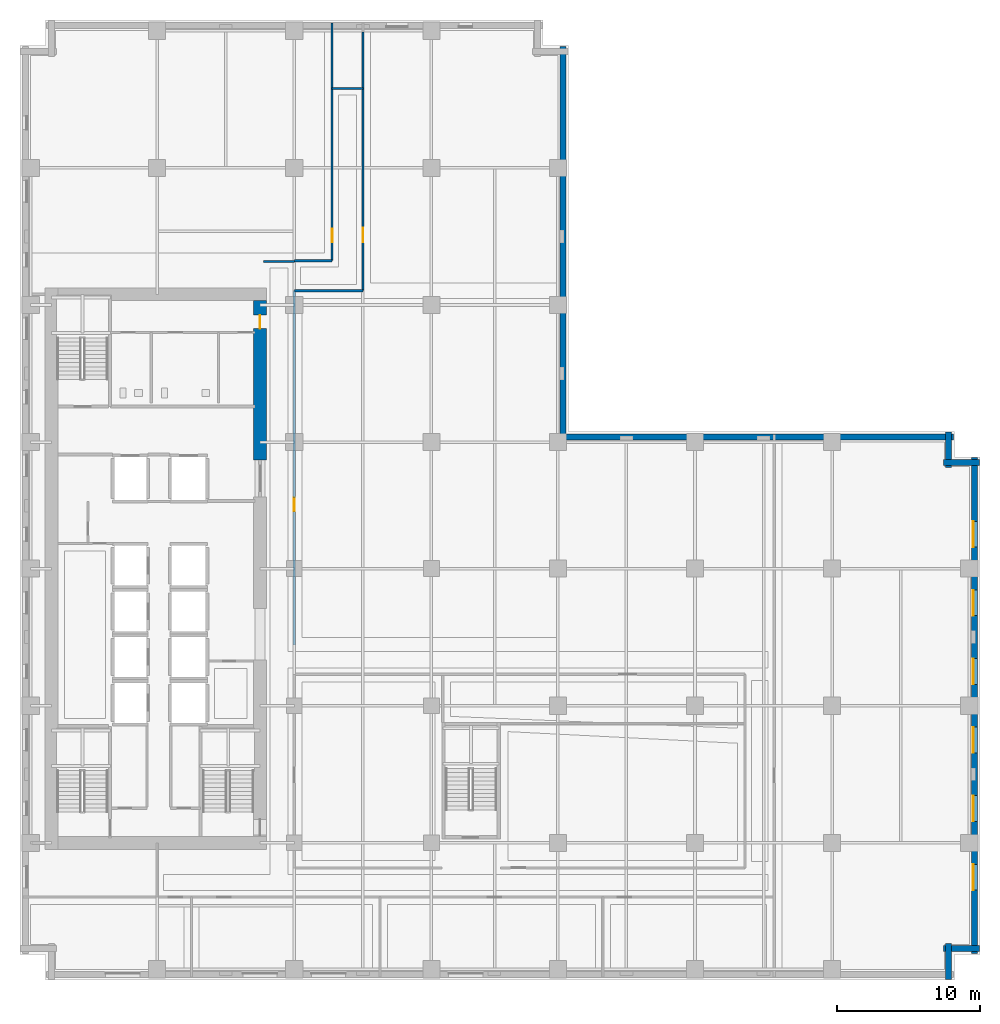
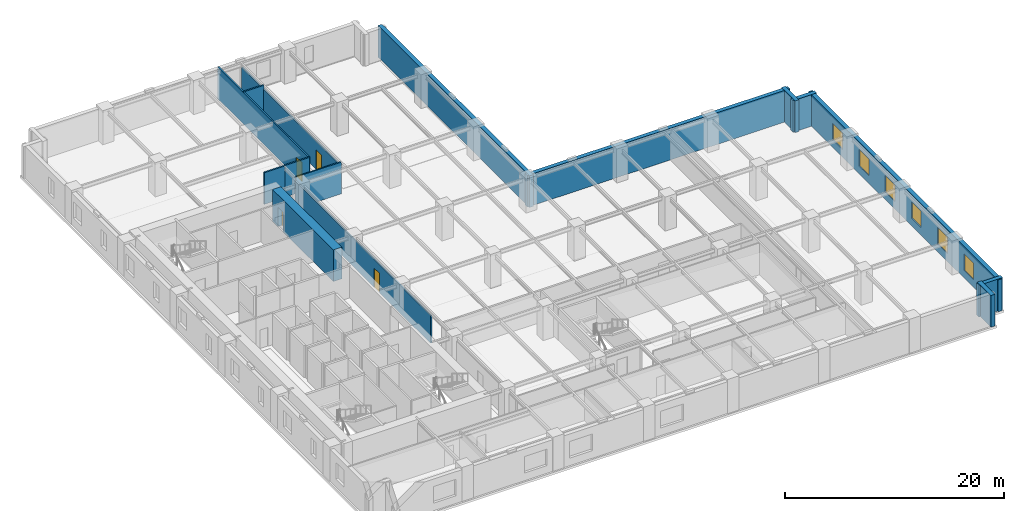
# One storey, part 7 of 13: 15 walls, 6 windows, 4 doors, 10 openings.
"""IFC4 building model written with IfcOpenShell, lengths in metres."""

from ifc_helpers import new_model, si_unit, direction, frame, frame_2d, origin, place, context, subcontext, project, spatial, rectangle, extrude, material, layer, layer_set, type_object, element, fill, save


model = new_model("IFC4")

# Units and contexts
model_context = context("Model", 3, precision=1e-05, world=origin(), true_north=direction((0.0, 1.0)))
body_context = subcontext(model_context, "Body", "Model", "MODEL_VIEW")
ifc_project = project(units=[si_unit("LENGTHUNIT", "METRE"), si_unit("AREAUNIT", "SQUARE_METRE"), si_unit("VOLUMEUNIT", "CUBIC_METRE"), si_unit("PLANEANGLEUNIT", "RADIAN"), si_unit("MASSUNIT", "GRAM", prefix="KILO")], contexts=[model_context])

# Site, building, storey
site_placement = place(None, origin())
site = spatial("IfcSite", under=ifc_project, at=site_placement, CompositionType="ELEMENT")
building_placement = place(site_placement, origin())
building = spatial("IfcBuilding", under=site, at=building_placement, Name="Norrvale University Quadrangle", CompositionType="ELEMENT")
storey_placement = place(building_placement, frame((0.0, 0.0, 35.60009765625)))
storey = spatial("IfcBuildingStorey", under=building, at=storey_placement, Name="L08", CompositionType="ELEMENT", Elevation=35.60009765625)

# Walls
ifc_material_1 = material(Name="Buff Norman Clay Brick Masonry", Category="masonry")
ifc_layer_1 = layer(ifc_material_1, 0.419921875, Name="Buff Norman Clay Brick Masonry")
ifc_layer_set_1 = layer_set([ifc_layer_1], Name="Buff Norman Clay Brick Masonry")
wall_type_1 = type_object("IfcWallType", Name="Wall Buff Brick 420", PredefinedType="SOLIDWALL", material=ifc_layer_set_1)
for number, where, z_axis, x_axis, name in (
    (1, (65.010009765625, 0.0400390625, 0.0), (0.0, 0.0, 1.0), (0.0, 1.0, 0.0), "Exterior Brick Facade Wall L08-02.1"),
    (2, (64.659912109375, 2.18994140625, 0.0), (0.0, 0.0, 1.0), (1.0, 0.0, 0.0), "Exterior Brick Facade Wall L08-03.1"),
):
    element("IfcWall", number, at=place(storey_placement, frame(where, z_axis=z_axis, x_axis=x_axis)), inside=storey, type_object=wall_type_1, Name=name, PredefinedType="SOLIDWALL", context=body_context, shape_type="SweptSolid", body=[
        extrude(rectangle(XDim=2.5, YDim=0.419921875, at=frame_2d((1.25, 0.0))), origin(), (0.0, 0.0, 1.0), 3.539794921875),
    ])

# Wall, openings, windows
wall_1_placement = place(storey_placement, frame((66.81005859375, 1.840087890625, 0.0), z_axis=(0.0, 0.0, 1.0), x_axis=(0.0, 1.0, 0.0)))
wall_1 = element("IfcWall", 3, at=wall_1_placement, inside=storey, type_object=wall_type_1, Name="Exterior Brick Facade Wall L08-04.1", PredefinedType="SOLIDWALL", context=body_context, shape_type="SweptSolid", body=[
    extrude(rectangle(XDim=34.719970703125, YDim=0.419921875, at=frame_2d((17.35986328125, 0.0))), origin(), (0.0, 0.0, 1.0), 3.539794921875),
])
opening_1_placement = place(wall_1_placement, frame((4.4599609375, 0.0, 0.85009765625)))
opening_1 = element("IfcOpeningElement", 4, at=opening_1_placement, cuts=wall_1, Name="Opening W01", PredefinedType="OPENING", context=body_context, shape_type="SweptSolid", body=[
    extrude(rectangle(XDim=1.800048828125, YDim=1.85009765625, at=frame_2d((0.89990234375, 0.925048828125))), frame((0.0, 0.221923828125, 0.0), z_axis=(0.0, -1.0, 0.0), x_axis=(1.0, 0.0, 0.0)), (0.0, 0.0, 1.0), 0.44384765625),
])
opening_2_placement = place(wall_1_placement, frame((9.260009765625, 0.0, 0.85009765625)))
opening_2 = element("IfcOpeningElement", 5, at=opening_2_placement, cuts=wall_1, Name="Opening W01", PredefinedType="OPENING", context=body_context, shape_type="SweptSolid", body=[
    extrude(rectangle(XDim=1.800048828125, YDim=1.85009765625, at=frame_2d((0.89990234375, 0.925048828125))), frame((0.0, 0.221923828125, 0.0), z_axis=(0.0, -1.0, 0.0), x_axis=(1.0, 0.0, 0.0)), (0.0, 0.0, 1.0), 0.44384765625),
])
opening_3_placement = place(wall_1_placement, frame((14.06005859375, 0.0, 0.85009765625)))
opening_3 = element("IfcOpeningElement", 6, at=opening_3_placement, cuts=wall_1, Name="Opening W01", PredefinedType="OPENING", context=body_context, shape_type="SweptSolid", body=[
    extrude(rectangle(XDim=1.800048828125, YDim=1.85009765625, at=frame_2d((0.89990234375, 0.925048828125))), frame((0.0, 0.221923828125, 0.0), z_axis=(0.0, -1.0, 0.0), x_axis=(1.0, 0.0, 0.0)), (0.0, 0.0, 1.0), 0.44384765625),
])
opening_4_placement = place(wall_1_placement, frame((18.860107421875, 0.0, 0.85009765625)))
opening_4 = element("IfcOpeningElement", 7, at=opening_4_placement, cuts=wall_1, Name="Opening W01", PredefinedType="OPENING", context=body_context, shape_type="SweptSolid", body=[
    extrude(rectangle(XDim=1.800048828125, YDim=1.85009765625, at=frame_2d((0.89990234375, 0.925048828125))), frame((0.0, 0.221923828125, 0.0), z_axis=(0.0, -1.0, 0.0), x_axis=(1.0, 0.0, 0.0)), (0.0, 0.0, 1.0), 0.44384765625),
])
opening_5_placement = place(wall_1_placement, frame((23.659912109375, 0.0, 0.85009765625)))
opening_5 = element("IfcOpeningElement", 8, at=opening_5_placement, cuts=wall_1, Name="Opening W01", PredefinedType="OPENING", context=body_context, shape_type="SweptSolid", body=[
    extrude(rectangle(XDim=1.800048828125, YDim=1.85009765625, at=frame_2d((0.89990234375, 0.925048828125))), frame((0.0, 0.221923828125, 0.0), z_axis=(0.0, -1.0, 0.0), x_axis=(1.0, 0.0, 0.0)), (0.0, 0.0, 1.0), 0.44384765625),
])
opening_6_placement = place(wall_1_placement, frame((28.4599609375, 0.0, 0.85009765625)))
opening_6 = element("IfcOpeningElement", 9, at=opening_6_placement, cuts=wall_1, Name="Opening W01", PredefinedType="OPENING", context=body_context, shape_type="SweptSolid", body=[
    extrude(rectangle(XDim=1.800048828125, YDim=1.85009765625, at=frame_2d((0.89990234375, 0.925048828125))), frame((0.0, 0.221923828125, 0.0), z_axis=(0.0, -1.0, 0.0), x_axis=(1.0, 0.0, 0.0)), (0.0, 0.0, 1.0), 0.44384765625),
])
ifc_material_2 = material(Name="Triple Low-E Argon Glazing", Category="glass")
window_type = type_object("IfcWindowType", Name="Window Academic 1800x2300", PartitioningType="DOUBLE_PANEL_VERTICAL", PredefinedType="WINDOW", material=ifc_material_2)
window_1_placement = place(opening_1_placement, origin())
window_1 = element("IfcWindow", 10, at=window_1_placement, inside=storey, type_object=window_type, Name="Window Academic 1800x2300 WIN-L08-E04-1-01", OverallHeight=1.85009765625, OverallWidth=1.800048828125, PartitioningType="DOUBLE_PANEL_VERTICAL", PredefinedType="WINDOW", context=body_context, shape_type="SweptSolid", body=[
    extrude(rectangle(XDim=1.800048828125, YDim=1.85009765625, at=frame_2d((0.89990234375, 0.925048828125))), frame((0.0, 0.110107421875, 0.0), z_axis=(0.0, -1.0, 0.0), x_axis=(1.0, 0.0, 0.0)), (0.0, 0.0, 1.0), 0.06005859375),
])
fill(opening_1, window_1)
window_2_placement = place(opening_2_placement, origin())
window_2 = element("IfcWindow", 11, at=window_2_placement, inside=storey, type_object=window_type, Name="Window Academic 1800x2300 WIN-L08-E04-1-02", OverallHeight=1.85009765625, OverallWidth=1.800048828125, PartitioningType="DOUBLE_PANEL_VERTICAL", PredefinedType="WINDOW", context=body_context, shape_type="SweptSolid", body=[
    extrude(rectangle(XDim=1.800048828125, YDim=1.85009765625, at=frame_2d((0.89990234375, 0.925048828125))), frame((0.0, 0.110107421875, 0.0), z_axis=(0.0, -1.0, 0.0), x_axis=(1.0, 0.0, 0.0)), (0.0, 0.0, 1.0), 0.06005859375),
])
fill(opening_2, window_2)
window_3_placement = place(opening_3_placement, origin())
window_3 = element("IfcWindow", 12, at=window_3_placement, inside=storey, type_object=window_type, Name="Window Academic 1800x2300 WIN-L08-E04-1-03", OverallHeight=1.85009765625, OverallWidth=1.800048828125, PartitioningType="DOUBLE_PANEL_VERTICAL", PredefinedType="WINDOW", context=body_context, shape_type="SweptSolid", body=[
    extrude(rectangle(XDim=1.800048828125, YDim=1.85009765625, at=frame_2d((0.89990234375, 0.925048828125))), frame((0.0, 0.110107421875, 0.0), z_axis=(0.0, -1.0, 0.0), x_axis=(1.0, 0.0, 0.0)), (0.0, 0.0, 1.0), 0.06005859375),
])
fill(opening_3, window_3)
window_4_placement = place(opening_4_placement, origin())
window_4 = element("IfcWindow", 13, at=window_4_placement, inside=storey, type_object=window_type, Name="Window Academic 1800x2300 WIN-L08-E04-1-04", OverallHeight=1.85009765625, OverallWidth=1.800048828125, PartitioningType="DOUBLE_PANEL_VERTICAL", PredefinedType="WINDOW", context=body_context, shape_type="SweptSolid", body=[
    extrude(rectangle(XDim=1.800048828125, YDim=1.85009765625, at=frame_2d((0.89990234375, 0.925048828125))), frame((0.0, 0.110107421875, 0.0), z_axis=(0.0, -1.0, 0.0), x_axis=(1.0, 0.0, 0.0)), (0.0, 0.0, 1.0), 0.06005859375),
])
fill(opening_4, window_4)
window_5_placement = place(opening_5_placement, origin())
window_5 = element("IfcWindow", 14, at=window_5_placement, inside=storey, type_object=window_type, Name="Window Academic 1800x2300 WIN-L08-E04-1-05", OverallHeight=1.85009765625, OverallWidth=1.800048828125, PartitioningType="DOUBLE_PANEL_VERTICAL", PredefinedType="WINDOW", context=body_context, shape_type="SweptSolid", body=[
    extrude(rectangle(XDim=1.800048828125, YDim=1.85009765625, at=frame_2d((0.89990234375, 0.925048828125))), frame((0.0, 0.110107421875, 0.0), z_axis=(0.0, -1.0, 0.0), x_axis=(1.0, 0.0, 0.0)), (0.0, 0.0, 1.0), 0.06005859375),
])
fill(opening_5, window_5)
window_6_placement = place(opening_6_placement, origin())
window_6 = element("IfcWindow", 15, at=window_6_placement, inside=storey, type_object=window_type, Name="Window Academic 1800x2300 WIN-L08-E04-1-06", OverallHeight=1.85009765625, OverallWidth=1.800048828125, PartitioningType="DOUBLE_PANEL_VERTICAL", PredefinedType="WINDOW", context=body_context, shape_type="SweptSolid", body=[
    extrude(rectangle(XDim=1.800048828125, YDim=1.85009765625, at=frame_2d((0.89990234375, 0.925048828125))), frame((0.0, 0.110107421875, 0.0), z_axis=(0.0, -1.0, 0.0), x_axis=(1.0, 0.0, 0.0)), (0.0, 0.0, 1.0), 0.06005859375),
])
fill(opening_6, window_6)

# Walls
for number, where, z_axis, x_axis, name in (
    (16, (67.159912109375, 36.2099609375, 0.0), (0.0, 0.0, 1.0), (-1.0, 0.0, 0.0), "Exterior Brick Facade Wall L08-05.1"),
    (17, (65.010009765625, 35.860107421875, 0.0), (0.0, 0.0, 1.0), (0.0, 1.0, 0.0), "Exterior Brick Facade Wall L08-06.1"),
):
    element("IfcWall", number, at=place(storey_placement, frame(where, z_axis=z_axis, x_axis=x_axis)), inside=storey, type_object=wall_type_1, Name=name, PredefinedType="SOLIDWALL", context=body_context, shape_type="SweptSolid", body=[
        extrude(rectangle(XDim=2.5, YDim=0.419921875, at=frame_2d((1.25, 0.0))), origin(), (0.0, 0.0, 1.0), 3.539794921875),
    ])
for number, where, z_axis, x_axis, name in (
    (18, (65.360107421875, 38.010009765625, 0.0), (0.0, 0.0, 1.0), (-1.0, 0.0, 0.0), "Exterior Brick Facade Wall L08-07.1"),
    (19, (38.010009765625, 37.659912109375, 0.0), (0.0, 0.0, 1.0), (0.0, 1.0, 0.0), "Exterior Brick Facade Wall L08-08.1"),
):
    element("IfcWall", number, at=place(storey_placement, frame(where, z_axis=z_axis, x_axis=x_axis)), inside=storey, type_object=wall_type_1, Name=name, PredefinedType="SOLIDWALL", context=body_context, shape_type="SweptSolid", body=[
        extrude(rectangle(XDim=27.7001953125, YDim=0.419921875, at=frame_2d((13.85009765625, 0.0))), origin(), (0.0, 0.0, 1.0), 3.539794921875),
    ])

# Wall, opening, door
ifc_material_3 = material(Name="Concrete C80/95", Category="concrete")
ifc_layer_2 = layer(ifc_material_3, 0.89990234375, Name="Concrete C80/95")
ifc_layer_set_2 = layer_set([ifc_layer_2], Name="Concrete C80/95")
wall_type_2 = type_object("IfcWallType", Name="Wall Core 900", PredefinedType="SHEAR", material=ifc_layer_set_2)
wall_2_placement = place(storey_placement, frame((16.800048828125, 36.39990234375, 0.0), z_axis=(0.0, 0.0, 1.0), x_axis=(0.0, 1.0, 0.0)))
wall_2 = element("IfcWall", 20, at=wall_2_placement, inside=storey, type_object=wall_type_2, Name="Tower Core Shear Wall L08-E3", PredefinedType="SHEAR", context=body_context, shape_type="SweptSolid", body=[
    extrude(rectangle(XDim=11.150146484375, YDim=0.89990234375, at=frame_2d((5.5751953125, 0.0))), origin(), (0.0, 0.0, 1.0), 3.539794921875),
])
opening_7_placement = place(wall_2_placement, frame((9.199951171875, 0.0, 0.0)))
opening_7 = element("IfcOpeningElement", 21, at=opening_7_placement, cuts=wall_2, Name="Opening D07", PredefinedType="OPENING", context=body_context, shape_type="SweptSolid", body=[
    extrude(rectangle(XDim=0.949951171875, YDim=2.14990234375, at=frame_2d((0.47509765625, 1.074951171875))), frame((0.0, 0.4619140625, 0.0), z_axis=(0.0, -1.0, 0.0), x_axis=(1.0, 0.0, 0.0)), (0.0, 0.0, 1.0), 0.923828125),
])
ifc_material_4 = material(Name="Solid-Core Maple Door", Category="wood")
door_type_1 = type_object("IfcDoorType", Name="Door Office 950x2150", OperationType="NOTDEFINED", PredefinedType="DOOR", material=ifc_material_4)
door_1_placement = place(opening_7_placement, origin())
door_1 = element("IfcDoor", 22, at=door_1_placement, inside=storey, type_object=door_type_1, Name="Door Office 950x2150 DR-L08-NECORR", OperationType="SINGLE_SWING_LEFT", OverallHeight=2.14990234375, OverallWidth=0.949951171875, PredefinedType="DOOR", context=body_context, shape_type="SweptSolid", body=[
    extrude(rectangle(XDim=0.949951171875, YDim=2.14990234375, at=frame_2d((0.47509765625, 1.074951171875))), frame((0.0, 0.02490234375, 0.0), z_axis=(0.0, -1.0, 0.0), x_axis=(1.0, 0.0, 0.0)), (0.0, 0.0, 1.0), 0.050048828125),
])
fill(opening_7, door_1)

# Wall
ifc_material_5 = material(Name="Fire-Rated Gypsum Stud Partition")
ifc_layer_3 = layer(ifc_material_5, 0.14990234375, Name="Fire-Rated Gypsum Stud Partition")
ifc_layer_set_3 = layer_set([ifc_layer_3], Name="Fire-Rated Gypsum Stud Partition")
wall_type_3 = type_object("IfcWallType", Name="Wall Gypsum Corridor 150", PredefinedType="PARTITIONING", material=ifc_layer_set_3)
wall_3_placement = place(storey_placement, frame((17.050048828125, 50.300048828125, 0.0), z_axis=(0.0, 0.0, 1.0), x_axis=(1.0, 0.0, 0.0)))
element("IfcWall", 23, at=wall_3_placement, inside=storey, type_object=wall_type_3, Name="Interior Partition WL-L08-CN-END", PredefinedType="PARTITIONING", context=body_context, shape_type="SweptSolid", body=[
    extrude(rectangle(XDim=2.14990234375, YDim=0.14990234375, at=frame_2d((1.074951171875, 0.0))), origin(), (0.0, 0.0, 1.0), 3.539794921875),
])

# Wall, opening, door
wall_4_placement = place(storey_placement, frame((19.199951171875, 23.449951171875, 0.0), z_axis=(0.0, 0.0, 1.0), x_axis=(0.0, 1.0, 0.0)))
wall_4 = element("IfcWall", 24, at=wall_4_placement, inside=storey, type_object=wall_type_3, Name="Interior Partition WL-L08-MNECW", PredefinedType="PARTITIONING", context=body_context, shape_type="SweptSolid", body=[
    extrude(rectangle(XDim=24.800048828125, YDim=0.14990234375, at=frame_2d((12.39990234375, 0.0))), origin(), (0.0, 0.0, 1.0), 3.122802734375),
])
opening_8_placement = place(wall_4_placement, frame((9.35009765625, 0.0, 0.0)))
opening_8 = element("IfcOpeningElement", 25, at=opening_8_placement, cuts=wall_4, Name="Opening D07", PredefinedType="OPENING", context=body_context, shape_type="SweptSolid", body=[
    extrude(rectangle(XDim=0.949951171875, YDim=2.14990234375, at=frame_2d((0.47509765625, 1.074951171875))), frame((0.0, 0.0869140625, 0.0), z_axis=(0.0, -1.0, 0.0), x_axis=(1.0, 0.0, 0.0)), (0.0, 0.0, 1.0), 0.173828125),
])
door_2_placement = place(opening_8_placement, origin())
door_2 = element("IfcDoor", 26, at=door_2_placement, inside=storey, type_object=door_type_1, Name="Door Office 950x2150 DR-L08-MNE01", OperationType="SINGLE_SWING_RIGHT", OverallHeight=2.14990234375, OverallWidth=0.949951171875, PredefinedType="DOOR", context=body_context, shape_type="SweptSolid", body=[
    extrude(rectangle(XDim=0.949951171875, YDim=2.14990234375, at=frame_2d((0.47509765625, 1.074951171875))), frame((0.0, 0.02490234375, 0.0), z_axis=(0.0, -1.0, 0.0), x_axis=(1.0, 0.0, 0.0)), (0.0, 0.0, 1.0), 0.050048828125),
])
fill(opening_8, door_2)

# Walls
wall_5_placement = place(storey_placement, frame((19.199951171875, 48.25, 0.0), z_axis=(0.0, 0.0, 1.0), x_axis=(1.0, 0.0, 0.0)))
element("IfcWall", 27, at=wall_5_placement, inside=storey, type_object=wall_type_3, Name="Interior Partition WL-L08-JOGS", PredefinedType="PARTITIONING", context=body_context, shape_type="SweptSolid", body=[
    extrude(rectangle(XDim=4.800048828125, YDim=0.14990234375, at=frame_2d((2.39990234375, 0.0))), origin(), (0.0, 0.0, 1.0), 3.539794921875),
])
wall_6_placement = place(storey_placement, frame((19.199951171875, 50.35009765625, 0.0), z_axis=(0.0, 0.0, 1.0), x_axis=(1.0, 0.0, 0.0)))
element("IfcWall", 28, at=wall_6_placement, inside=storey, type_object=wall_type_3, Name="Interior Partition WL-L08-JOGN", PredefinedType="PARTITIONING", context=body_context, shape_type="SweptSolid", body=[
    extrude(rectangle(XDim=2.650146484375, YDim=0.14990234375, at=frame_2d((1.3251953125, 0.0))), origin(), (0.0, 0.0, 1.0), 3.539794921875),
])
wall_7_placement = place(storey_placement, frame((21.85009765625, 62.39990234375, 0.0), z_axis=(0.0, 0.0, 1.0), x_axis=(1.0, 0.0, 0.0)))
element("IfcWall", 29, at=wall_7_placement, inside=storey, type_object=wall_type_3, Name="Interior Partition WL-L08-JOGEND", PredefinedType="PARTITIONING", context=body_context, shape_type="SweptSolid", body=[
    extrude(rectangle(XDim=2.14990234375, YDim=0.14990234375, at=frame_2d((1.074951171875, 0.0))), origin(), (0.0, 0.0, 1.0), 3.539794921875),
])

# Wall, opening, door
wall_8_placement = place(storey_placement, frame((24.0, 48.25, 0.0), z_axis=(0.0, 0.0, 1.0), x_axis=(0.0, 1.0, 0.0)))
wall_8 = element("IfcWall", 30, at=wall_8_placement, inside=storey, type_object=wall_type_3, Name="Interior Partition WL-L08-NECW", PredefinedType="PARTITIONING", context=body_context, shape_type="SweptSolid", body=[
    extrude(rectangle(XDim=18.109619140625, YDim=0.14990234375, at=frame_2d((9.0546875, 0.0))), origin(), (0.0, 0.0, 1.0), 3.1328125),
])
opening_9_placement = place(wall_8_placement, frame((3.39990234375, 0.0, 0.0)))
opening_9 = element("IfcOpeningElement", 31, at=opening_9_placement, cuts=wall_8, Name="Opening D04", PredefinedType="OPENING", context=body_context, shape_type="SweptSolid", body=[
    extrude(rectangle(XDim=1.0, YDim=2.199951171875, at=frame_2d((0.5, 1.10009765625))), frame((0.0, 0.0869140625, 0.0), z_axis=(0.0, -1.0, 0.0), x_axis=(1.0, 0.0, 0.0)), (0.0, 0.0, 1.0), 0.173828125),
])
ifc_material_6 = material(Name="Solid-Core Oak Fire Door", Category="wood")
door_type_2 = type_object("IfcDoorType", Name="Door Corridor 1000x2200", OperationType="NOTDEFINED", PredefinedType="DOOR", material=ifc_material_6)
door_3_placement = place(opening_9_placement, origin())
door_3 = element("IfcDoor", 32, at=door_3_placement, inside=storey, type_object=door_type_2, Name="Door Corridor 1000x2200 DR-L08-NE01", OperationType="SINGLE_SWING_RIGHT", OverallHeight=2.199951171875, OverallWidth=1.0, PredefinedType="DOOR", context=body_context, shape_type="SweptSolid", body=[
    extrude(rectangle(XDim=1.0, YDim=2.199951171875, at=frame_2d((0.5, 1.10009765625))), frame((0.0, 0.02490234375, 0.0), z_axis=(0.0, -1.0, 0.0), x_axis=(1.0, 0.0, 0.0)), (0.0, 0.0, 1.0), 0.050048828125),
])
fill(opening_9, door_3)

wall_9_placement = place(storey_placement, frame((21.85009765625, 50.35009765625, 0.0), z_axis=(0.0, 0.0, 1.0), x_axis=(0.0, 1.0, 0.0)))
wall_9 = element("IfcWall", 33, at=wall_9_placement, inside=storey, type_object=wall_type_3, Name="Interior Partition WL-L08-NWCW", PredefinedType="PARTITIONING", context=body_context, shape_type="SweptSolid", body=[
    extrude(rectangle(XDim=16.6298828125, YDim=0.14990234375, at=frame_2d((8.31494140625, 0.0))), origin(), (0.0, 0.0, 1.0), 3.539794921875),
])
opening_10_placement = place(wall_9_placement, frame((1.300048828125, 0.0, 0.0)))
opening_10 = element("IfcOpeningElement", 34, at=opening_10_placement, cuts=wall_9, Name="Opening D07", PredefinedType="OPENING", context=body_context, shape_type="SweptSolid", body=[
    extrude(rectangle(XDim=0.949951171875, YDim=2.14990234375, at=frame_2d((0.47509765625, 1.074951171875))), frame((0.0, 0.0869140625, 0.0), z_axis=(0.0, -1.0, 0.0), x_axis=(1.0, 0.0, 0.0)), (0.0, 0.0, 1.0), 0.173828125),
])
door_4_placement = place(opening_10_placement, origin())
door_4 = element("IfcDoor", 35, at=door_4_placement, inside=storey, type_object=door_type_1, Name="Door Office 950x2150 DR-L08-NW01", OperationType="SINGLE_SWING_RIGHT", OverallHeight=2.14990234375, OverallWidth=0.949951171875, PredefinedType="DOOR", context=body_context, shape_type="SweptSolid", body=[
    extrude(rectangle(XDim=0.949951171875, YDim=2.14990234375, at=frame_2d((0.47509765625, 1.074951171875))), frame((0.0, 0.02490234375, 0.0), z_axis=(0.0, -1.0, 0.0), x_axis=(1.0, 0.0, 0.0)), (0.0, 0.0, 1.0), 0.050048828125),
])
fill(opening_10, door_4)

save(model, "model.ifc")
